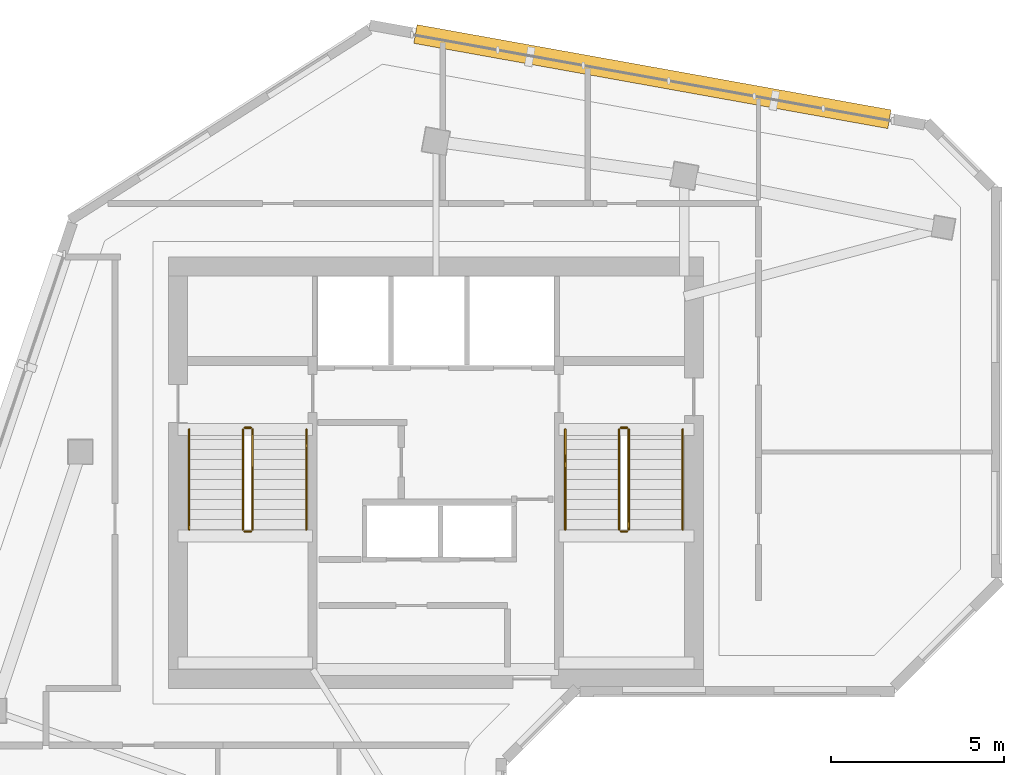
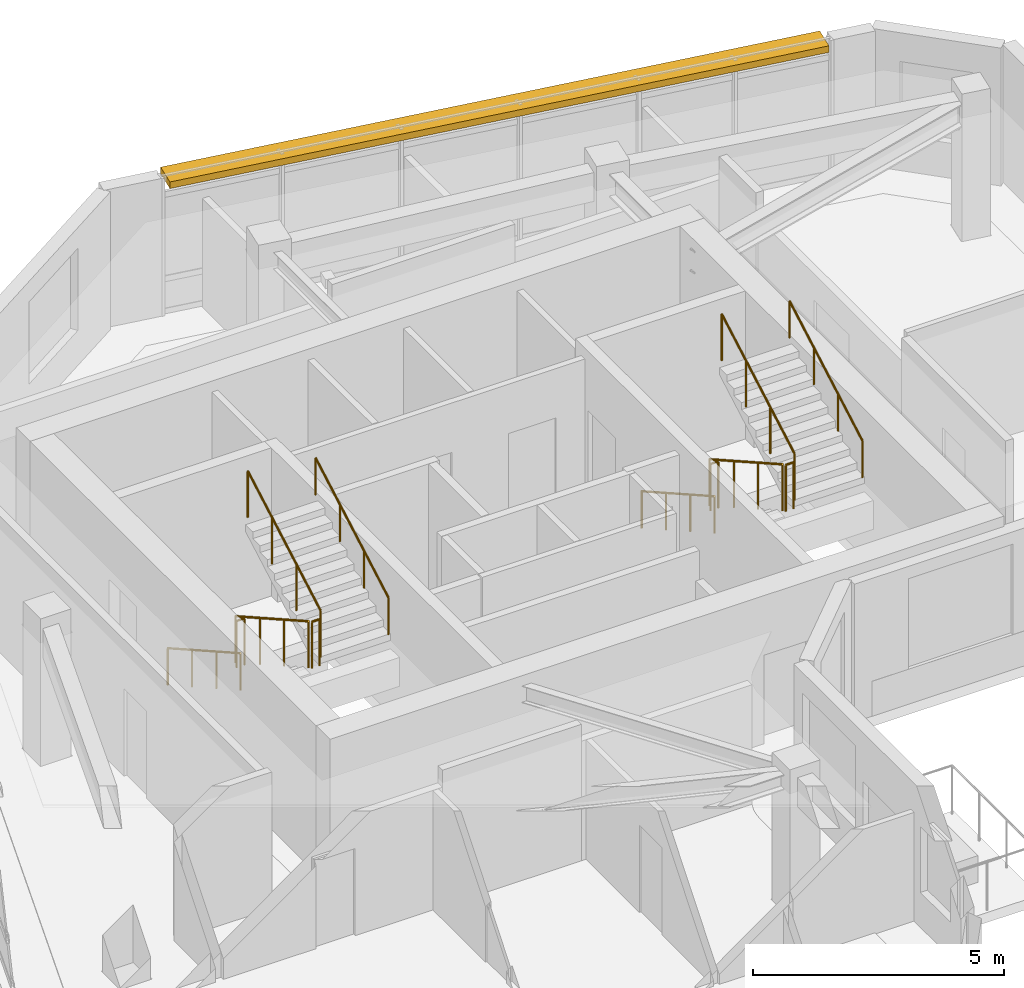
# One storey, part 8 of 8: 12 railings, 1 shading device.
"""IFC4 building model written with IfcOpenShell, lengths in metres."""

from ifc_helpers import new_model, si_unit, direction, frame, frame_2d, origin, origin_2d, place, context, subcontext, project, spatial, rectangle, circle, extrude, material, type_object, element, save


model = new_model("IFC4")

# Units and contexts
model_context = context("Model", 3, precision=1e-05, world=origin(), true_north=direction((0.0, 1.0)))
body_context = subcontext(model_context, "Body", "Model", "MODEL_VIEW")
ifc_project = project(units=[si_unit("LENGTHUNIT", "METRE"), si_unit("AREAUNIT", "SQUARE_METRE"), si_unit("VOLUMEUNIT", "CUBIC_METRE"), si_unit("PLANEANGLEUNIT", "RADIAN"), si_unit("MASSUNIT", "GRAM", prefix="KILO")], contexts=[model_context])

# Site, building, storey
site_placement = place(None, origin())
site = spatial("IfcSite", under=ifc_project, at=site_placement, CompositionType="ELEMENT")
building_placement = place(site_placement, origin())
building = spatial("IfcBuilding", under=site, at=building_placement, Name="Calvemar Wedge Station Tower", CompositionType="ELEMENT")
storey_placement = place(building_placement, frame((0.0, 0.0, 281.699951171875)))
storey = spatial("IfcBuildingStorey", under=building, at=storey_placement, Name="L72", CompositionType="ELEMENT", Elevation=281.699951171875)

# Railings
ifc_material_1 = material(Name="Stainless steel AISI 316L", Category="steel")
railing_type_1 = type_object("IfcRailingType", Name="RL-HANDRAIL-920", PredefinedType="HANDRAIL", material=ifc_material_1)
railing_1_placement = place(storey_placement, frame((16.64990234375, 41.14990234375, 0.16357421875)))
element("IfcRailing", 1, at=railing_1_placement, inside=storey, type_object=railing_type_1, Name="L72 ST-C1 stair handrail 1", PredefinedType="HANDRAIL", context=body_context, shape_type="SweptSolid", body=[
    extrude(circle(Radius=0.02392578125, at=origin_2d()), frame((0.0, 0.0, 0.89599609375), z_axis=(0.0, -0.870897200241, 0.491465224214), x_axis=(1.0, 0.0, 0.0)), (0.0, 0.0, 1.0), 3.329833984375),
    extrude(circle(Radius=0.02099609375, at=origin_2d()), origin(), (0.0, 0.0, 1.0), 0.871826171875),
    extrude(circle(Radius=0.02099609375, at=origin_2d()), frame((0.0, -0.966552734375, 0.54541015625)), (0.0, 0.0, 1.0), 0.871826171875),
    extrude(circle(Radius=0.02099609375, at=origin_2d()), frame((0.0, -1.933349609375, 1.091064453125)), (0.0, 0.0, 1.0), 0.871826171875),
    extrude(circle(Radius=0.02099609375, at=origin_2d()), frame((0.0, -2.89990234375, 1.636474609375)), (0.0, 0.0, 1.0), 0.871826171875),
])
railing_2_placement = place(storey_placement, frame((20.050048828125, 38.25, 1.963623046875)))
element("IfcRailing", 2, at=railing_2_placement, inside=storey, type_object=railing_type_1, Name="L72 ST-C1 stair handrail 2", PredefinedType="HANDRAIL", context=body_context, shape_type="SweptSolid", body=[
    extrude(circle(Radius=0.02392578125, at=origin_2d()), frame((0.0, 0.0, 0.89599609375), z_axis=(0.0, 0.870897200241, 0.491465224214), x_axis=(-1.0, 0.0, 0.0)), (0.0, 0.0, 1.0), 3.329833984375),
    extrude(circle(Radius=0.02099609375, at=origin_2d()), origin(), (0.0, 0.0, 1.0), 0.871826171875),
    extrude(circle(Radius=0.02099609375, at=origin_2d()), frame((0.0, 0.966552734375, 0.54541015625)), (0.0, 0.0, 1.0), 0.871826171875),
    extrude(circle(Radius=0.02099609375, at=origin_2d()), frame((0.0, 1.933349609375, 1.091064453125)), (0.0, 0.0, 1.0), 0.871826171875),
    extrude(circle(Radius=0.02099609375, at=origin_2d()), frame((0.0, 2.89990234375, 1.636474609375)), (0.0, 0.0, 1.0), 0.871826171875),
])
railing_3_placement = place(storey_placement, frame((27.550048828125, 41.14990234375, 0.16357421875)))
element("IfcRailing", 3, at=railing_3_placement, inside=storey, type_object=railing_type_1, Name="L72 ST-C2 stair handrail 1", PredefinedType="HANDRAIL", context=body_context, shape_type="SweptSolid", body=[
    extrude(circle(Radius=0.02392578125, at=origin_2d()), frame((0.0, 0.0, 0.89599609375), z_axis=(0.0, -0.870897200241, 0.491465224214), x_axis=(1.0, 0.0, 0.0)), (0.0, 0.0, 1.0), 3.329833984375),
    extrude(circle(Radius=0.02099609375, at=origin_2d()), origin(), (0.0, 0.0, 1.0), 0.871826171875),
    extrude(circle(Radius=0.02099609375, at=origin_2d()), frame((0.0, -0.966552734375, 0.54541015625)), (0.0, 0.0, 1.0), 0.871826171875),
    extrude(circle(Radius=0.02099609375, at=origin_2d()), frame((0.0, -1.933349609375, 1.091064453125)), (0.0, 0.0, 1.0), 0.871826171875),
    extrude(circle(Radius=0.02099609375, at=origin_2d()), frame((0.0, -2.89990234375, 1.636474609375)), (0.0, 0.0, 1.0), 0.871826171875),
])
railing_4_placement = place(storey_placement, frame((30.949951171875, 38.25, 1.963623046875)))
element("IfcRailing", 4, at=railing_4_placement, inside=storey, type_object=railing_type_1, Name="L72 ST-C2 stair handrail 2", PredefinedType="HANDRAIL", context=body_context, shape_type="SweptSolid", body=[
    extrude(circle(Radius=0.02392578125, at=origin_2d()), frame((0.0, 0.0, 0.89599609375), z_axis=(0.0, 0.870897200241, 0.491465224214), x_axis=(-1.0, 0.0, 0.0)), (0.0, 0.0, 1.0), 3.329833984375),
    extrude(circle(Radius=0.02099609375, at=origin_2d()), origin(), (0.0, 0.0, 1.0), 0.871826171875),
    extrude(circle(Radius=0.02099609375, at=origin_2d()), frame((0.0, 0.966552734375, 0.54541015625)), (0.0, 0.0, 1.0), 0.871826171875),
    extrude(circle(Radius=0.02099609375, at=origin_2d()), frame((0.0, 1.933349609375, 1.091064453125)), (0.0, 0.0, 1.0), 0.871826171875),
    extrude(circle(Radius=0.02099609375, at=origin_2d()), frame((0.0, 2.89990234375, 1.636474609375)), (0.0, 0.0, 1.0), 0.871826171875),
])
ifc_material_2 = material(Name="Painted steel guardrail ASTM A500 Grade C", Category="steel")
railing_type_2 = type_object("IfcRailingType", Name="RL-STAIR-GUARD-1150", PredefinedType="GUARDRAIL", material=ifc_material_2)
railing_5_placement = place(storey_placement, frame((18.2099609375, 41.14990234375, 0.16357421875)))
element("IfcRailing", 5, at=railing_5_placement, inside=storey, type_object=railing_type_2, Name="L72 ST-C1 stair guard 1", PredefinedType="GUARDRAIL", context=body_context, shape_type="SweptSolid", body=[
    extrude(circle(Radius=0.02392578125, at=origin_2d()), frame((0.0, 0.0, 1.1259765625), z_axis=(0.0, -0.870897200241, 0.491465224214), x_axis=(1.0, 0.0, 0.0)), (0.0, 0.0, 1.0), 3.329833984375),
    extrude(circle(Radius=0.02099609375, at=origin_2d()), origin(), (0.0, 0.0, 1.0), 1.101806640625),
    extrude(circle(Radius=0.02099609375, at=origin_2d()), frame((0.0, -0.966552734375, 0.54541015625)), (0.0, 0.0, 1.0), 1.101806640625),
    extrude(circle(Radius=0.02099609375, at=origin_2d()), frame((0.0, -1.933349609375, 1.091064453125)), (0.0, 0.0, 1.0), 1.101806640625),
    extrude(circle(Radius=0.02099609375, at=origin_2d()), frame((0.0, -2.89990234375, 1.636474609375)), (0.0, 0.0, 1.0), 1.101806640625),
])
railing_6_placement = place(storey_placement, frame((18.260009765625, 38.199951171875, 1.800048828125)))
element("IfcRailing", 6, at=railing_6_placement, inside=storey, type_object=railing_type_2, Name="L72 ST-C1 stair guard 2", PredefinedType="GUARDRAIL", context=body_context, shape_type="SweptSolid", body=[
    extrude(circle(Radius=0.02392578125, at=origin_2d()), frame((0.0, 0.0, 1.1259765625), z_axis=(1.0, 0.0, 0.0), x_axis=(0.0, 1.0, 0.0)), (0.0, 0.0, 1.0), 0.179931640625),
    extrude(circle(Radius=0.02099609375, at=origin_2d()), origin(), (0.0, 0.0, 1.0), 1.101806640625),
    extrude(circle(Radius=0.02099609375, at=origin_2d()), frame((0.179931640625, 0.0, 0.0)), (0.0, 0.0, 1.0), 1.101806640625),
])
railing_7_placement = place(storey_placement, frame((18.489990234375, 38.25, 1.963623046875)))
element("IfcRailing", 7, at=railing_7_placement, inside=storey, type_object=railing_type_2, Name="L72 ST-C1 stair guard 3", PredefinedType="GUARDRAIL", context=body_context, shape_type="SweptSolid", body=[
    extrude(circle(Radius=0.02392578125, at=origin_2d()), frame((0.0, 0.0, 1.1259765625), z_axis=(0.0, 0.870897200241, 0.491465224214), x_axis=(-1.0, 0.0, 0.0)), (0.0, 0.0, 1.0), 3.329833984375),
    extrude(circle(Radius=0.02099609375, at=origin_2d()), origin(), (0.0, 0.0, 1.0), 1.101806640625),
    extrude(circle(Radius=0.02099609375, at=origin_2d()), frame((0.0, 0.966552734375, 0.54541015625)), (0.0, 0.0, 1.0), 1.101806640625),
    extrude(circle(Radius=0.02099609375, at=origin_2d()), frame((0.0, 1.933349609375, 1.091064453125)), (0.0, 0.0, 1.0), 1.101806640625),
    extrude(circle(Radius=0.02099609375, at=origin_2d()), frame((0.0, 2.89990234375, 1.636474609375)), (0.0, 0.0, 1.0), 1.101806640625),
])
railing_8_placement = place(storey_placement, frame((18.260009765625, 41.199951171875, 0.0)))
element("IfcRailing", 8, at=railing_8_placement, inside=storey, type_object=railing_type_2, Name="L72 ST-C1 stair guard 4", PredefinedType="GUARDRAIL", context=body_context, shape_type="SweptSolid", body=[
    extrude(circle(Radius=0.02392578125, at=origin_2d()), frame((0.0, 0.0, 1.1259765625), z_axis=(1.0, 0.0, 0.0), x_axis=(0.0, 1.0, 0.0)), (0.0, 0.0, 1.0), 0.179931640625),
    extrude(circle(Radius=0.02099609375, at=origin_2d()), origin(), (0.0, 0.0, 1.0), 1.101806640625),
    extrude(circle(Radius=0.02099609375, at=origin_2d()), frame((0.179931640625, 0.0, 0.0)), (0.0, 0.0, 1.0), 1.101806640625),
])
railing_9_placement = place(storey_placement, frame((29.110107421875, 41.14990234375, 0.16357421875)))
element("IfcRailing", 9, at=railing_9_placement, inside=storey, type_object=railing_type_2, Name="L72 ST-C2 stair guard 1", PredefinedType="GUARDRAIL", context=body_context, shape_type="SweptSolid", body=[
    extrude(circle(Radius=0.02392578125, at=origin_2d()), frame((0.0, 0.0, 1.1259765625), z_axis=(0.0, -0.870897200241, 0.491465224214), x_axis=(1.0, 0.0, 0.0)), (0.0, 0.0, 1.0), 3.329833984375),
    extrude(circle(Radius=0.02099609375, at=origin_2d()), origin(), (0.0, 0.0, 1.0), 1.101806640625),
    extrude(circle(Radius=0.02099609375, at=origin_2d()), frame((0.0, -0.966552734375, 0.54541015625)), (0.0, 0.0, 1.0), 1.101806640625),
    extrude(circle(Radius=0.02099609375, at=origin_2d()), frame((0.0, -1.933349609375, 1.091064453125)), (0.0, 0.0, 1.0), 1.101806640625),
    extrude(circle(Radius=0.02099609375, at=origin_2d()), frame((0.0, -2.89990234375, 1.636474609375)), (0.0, 0.0, 1.0), 1.101806640625),
])
railing_10_placement = place(storey_placement, frame((29.159912109375, 38.199951171875, 1.800048828125)))
element("IfcRailing", 10, at=railing_10_placement, inside=storey, type_object=railing_type_2, Name="L72 ST-C2 stair guard 2", PredefinedType="GUARDRAIL", context=body_context, shape_type="SweptSolid", body=[
    extrude(circle(Radius=0.02392578125, at=origin_2d()), frame((0.0, 0.0, 1.1259765625), z_axis=(1.0, 0.0, 0.0), x_axis=(0.0, 1.0, 0.0)), (0.0, 0.0, 1.0), 0.18017578125),
    extrude(circle(Radius=0.02099609375, at=origin_2d()), origin(), (0.0, 0.0, 1.0), 1.101806640625),
    extrude(circle(Radius=0.02099609375, at=origin_2d()), frame((0.18017578125, 0.0, 0.0)), (0.0, 0.0, 1.0), 1.101806640625),
])
railing_11_placement = place(storey_placement, frame((29.389892578125, 38.25, 1.963623046875)))
element("IfcRailing", 11, at=railing_11_placement, inside=storey, type_object=railing_type_2, Name="L72 ST-C2 stair guard 3", PredefinedType="GUARDRAIL", context=body_context, shape_type="SweptSolid", body=[
    extrude(circle(Radius=0.02392578125, at=origin_2d()), frame((0.0, 0.0, 1.1259765625), z_axis=(0.0, 0.870897200241, 0.491465224214), x_axis=(-1.0, 0.0, 0.0)), (0.0, 0.0, 1.0), 3.329833984375),
    extrude(circle(Radius=0.02099609375, at=origin_2d()), origin(), (0.0, 0.0, 1.0), 1.101806640625),
    extrude(circle(Radius=0.02099609375, at=origin_2d()), frame((0.0, 0.966552734375, 0.54541015625)), (0.0, 0.0, 1.0), 1.101806640625),
    extrude(circle(Radius=0.02099609375, at=origin_2d()), frame((0.0, 1.933349609375, 1.091064453125)), (0.0, 0.0, 1.0), 1.101806640625),
    extrude(circle(Radius=0.02099609375, at=origin_2d()), frame((0.0, 2.89990234375, 1.636474609375)), (0.0, 0.0, 1.0), 1.101806640625),
])
railing_12_placement = place(storey_placement, frame((29.159912109375, 41.199951171875, 0.0)))
element("IfcRailing", 12, at=railing_12_placement, inside=storey, type_object=railing_type_2, Name="L72 ST-C2 stair guard 4", PredefinedType="GUARDRAIL", context=body_context, shape_type="SweptSolid", body=[
    extrude(circle(Radius=0.02392578125, at=origin_2d()), frame((0.0, 0.0, 1.1259765625), z_axis=(1.0, 0.0, 0.0), x_axis=(0.0, 1.0, 0.0)), (0.0, 0.0, 1.0), 0.18017578125),
    extrude(circle(Radius=0.02099609375, at=origin_2d()), origin(), (0.0, 0.0, 1.0), 1.101806640625),
    extrude(circle(Radius=0.02099609375, at=origin_2d()), frame((0.18017578125, 0.0, 0.0)), (0.0, 0.0, 1.0), 1.101806640625),
])

# Shading device
ifc_material_3 = material(Name="Precast concrete C45", Category="concrete")
shading_device_type = type_object("IfcShadingDeviceType", Name="SHD-EYEBROW-1", PredefinedType="SHUTTER", material=ifc_material_3)
shading_device_placement = place(storey_placement, frame((36.942626953125, 50.141357421875, 3.170166015625), z_axis=(0.0, 0.0, 1.0), x_axis=(-0.984225696469, 0.176917433876, 0.0)))
element("IfcShadingDevice", 13, at=shading_device_placement, inside=storey, type_object=shading_device_type, Name="Storey L72 Bronze GFRC Solar Eyebrow 10", PredefinedType="SHUTTER", context=body_context, shape_type="SweptSolid", body=[
    extrude(rectangle(XDim=13.954345703125, YDim=0.550048828125, at=frame_2d((6.97705078125, 0.0))), origin(), (0.0, 0.0, 1.0), 0.159912109375),
])

save(model, "model.ifc")
